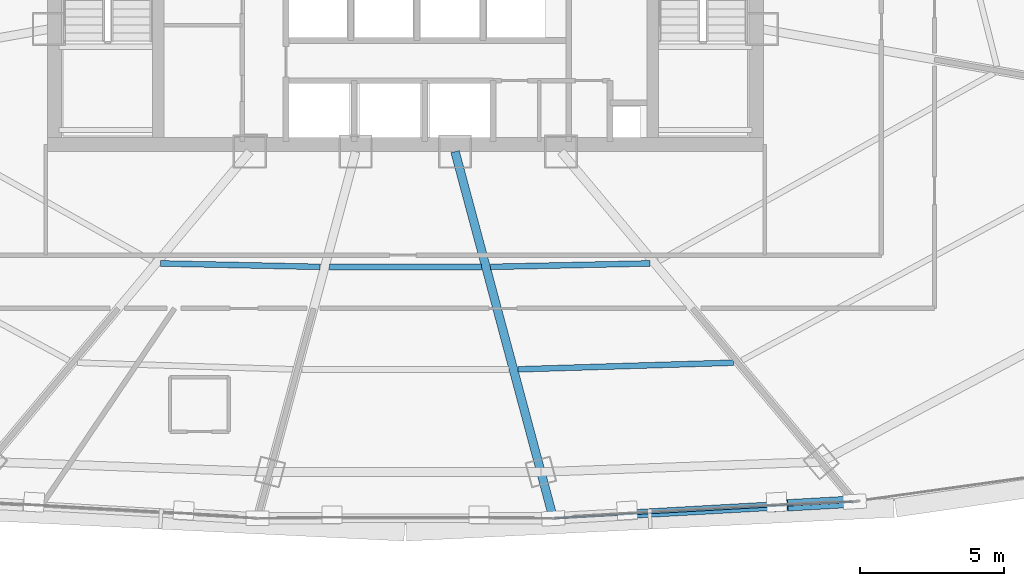
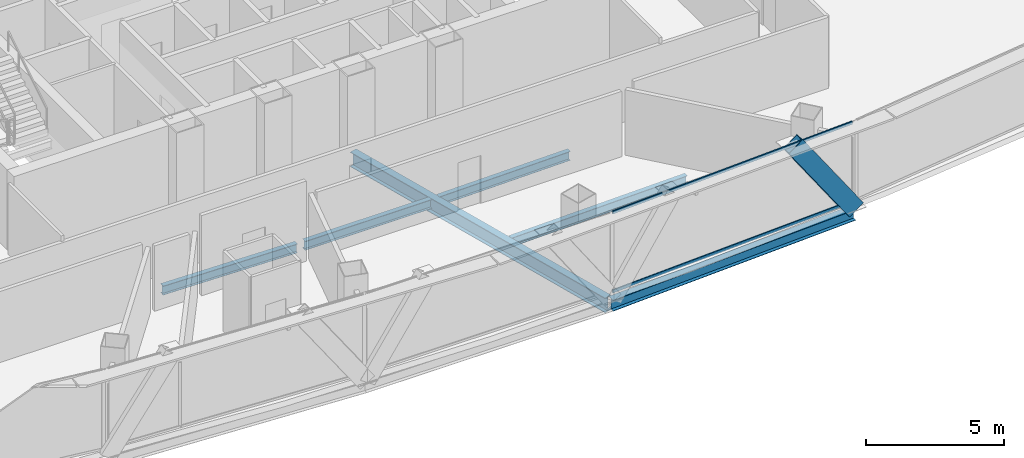
# One storey, part 13 of 37: 6 beams, 3 members, 1 element without a shape of its own.
"""IFC4 building model written with IfcOpenShell, lengths in metres."""

import ifcopenshell
import ifcopenshell.guid

model = None  # the IFC model being written
_history = None  # IfcOwnerHistory: only IFC2X3 demands one
_inside = {}  # id of a spatial element -> (the spatial element, [elements in it])
_under = {}  # id of a project, library or spatial element -> (it, [spatial elements below it])
_declared = {}  # id of a project -> (the project, [libraries it declares])
_typed = {}  # id of a type object -> (the type object, [elements of that type])
_made_of = {}  # id of a material, layer set ... -> (it, [elements and type objects made of it])


def new_model(schema):
    """Start an empty IFC model of exactly this schema.

    Asked for "IFC4X3", IfcOpenShell would pick the latest addendum, in which some entities
    have other attributes; the version numbers below select the first issue.
    IFC2X3 requires an IfcOwnerHistory on every rooted entity: one is made here for all.
    """
    global model, _history
    if schema == "IFC4X3":
        model = ifcopenshell.file(schema_version=(4, 3, 0, 0))
    else:
        model = ifcopenshell.file(schema=schema)
    _inside.clear()
    _under.clear()
    _declared.clear()
    _typed.clear()
    _made_of.clear()
    _history = None
    if model.schema == "IFC2X3":
        org = make("IfcOrganization", Name="unknown")
        user = make(
            "IfcPersonAndOrganization",
            ThePerson=make("IfcPerson", FamilyName="unknown"),
            TheOrganization=org,
        )
        app = make(
            "IfcApplication",
            ApplicationDeveloper=org,
            Version="unknown",
            ApplicationFullName="unknown",
            ApplicationIdentifier="unknown",
        )
        _history = make(
            "IfcOwnerHistory",
            OwningUser=user,
            OwningApplication=app,
            ChangeAction="ADDED",
            CreationDate=0,
        )
    return model


def make(cls, **values):
    """One entity of the class cls with the attributes given. An attribute that is None is left unset."""
    return model.create_entity(
        cls, **{name: value for name, value in values.items() if value is not None}
    )


def rooted(cls, **values):
    """An entity with a GlobalId (a new one), such as an element, a storey or a relation."""
    return make(cls, GlobalId=ifcopenshell.guid.new(), OwnerHistory=_history, **values)


def si_unit(unit_type, name, prefix=None):
    """IfcSIUnit, for example si_unit("LENGTHUNIT", "METRE", prefix="MILLI")."""
    return make("IfcSIUnit", UnitType=unit_type, Prefix=prefix, Name=name)


def assignment(units):
    """IfcUnitAssignment: the units of a project."""
    return None if units is None else make("IfcUnitAssignment", Units=units)


def point(xyz):
    """IfcCartesianPoint."""
    return None if xyz is None else make("IfcCartesianPoint", Coordinates=xyz)


def direction(xyz):
    """IfcDirection."""
    return None if xyz is None else make("IfcDirection", DirectionRatios=xyz)


def frame(location, z_axis=None, x_axis=None):
    """IfcAxis2Placement3D, a coordinate frame: its origin and axes. An axis left out is left unset."""
    return make(
        "IfcAxis2Placement3D",
        Location=point(location),
        Axis=direction(z_axis),
        RefDirection=direction(x_axis),
    )


def frame_2d(location, x_axis=None):
    """IfcAxis2Placement2D, a coordinate frame in the plane: its origin and x axis."""
    return make(
        "IfcAxis2Placement2D", Location=point(location), RefDirection=direction(x_axis)
    )


def origin():
    """The frame at (0, 0, 0) with its axes left unset."""
    return frame((0.0, 0.0, 0.0))


def origin_2d():
    """The frame at (0, 0) in the plane with its x axis left unset."""
    return frame_2d((0.0, 0.0))


def place(relative_to, where):
    """IfcLocalPlacement: puts the frame where relative to a parent placement (None: the world)."""
    return make(
        "IfcLocalPlacement", PlacementRelTo=relative_to, RelativePlacement=where
    )


def context(
    kind, dimensions, precision=None, world=None, true_north=None, identifier=None
):
    """IfcGeometricRepresentationContext, for example the 3D "Model" context."""
    return make(
        "IfcGeometricRepresentationContext",
        ContextIdentifier=identifier,
        ContextType=kind,
        CoordinateSpaceDimension=dimensions,
        Precision=precision,
        WorldCoordinateSystem=world,
        TrueNorth=true_north,
    )


def subcontext(parent, identifier, kind, view, scale=None):
    """IfcGeometricRepresentationSubContext, for example "Body" below "Model"."""
    return make(
        "IfcGeometricRepresentationSubContext",
        ContextIdentifier=identifier,
        ContextType=kind,
        ParentContext=parent,
        TargetScale=scale,
        TargetView=view,
    )


def project(units=None, contexts=None):
    """IfcProject with its units and contexts."""
    return rooted(
        "IfcProject",
        Name="project",
        RepresentationContexts=contexts,
        UnitsInContext=assignment(units),
    )


def spatial(cls, under=None, at=None, **own):
    """A site, building, storey or space (cls), placed at a placement, below another one or the project."""
    s = rooted(cls, ObjectPlacement=at, **own)
    if under is not None:
        _under.setdefault(under.id(), (under, []))[1].append(s)
    return s


def profile(cls, at=None, kind="AREA", **sizes):
    """A parametric profile (cls). Its sizes go by their IFC names, for example OverallWidth=200.0."""
    return make(cls, ProfileType=kind, Position=at, **sizes)


def hollow_rectangle(**sizes):
    """IfcRectangleHollowProfileDef."""
    return profile("IfcRectangleHollowProfileDef", **sizes)


def i_section(**sizes):
    """IfcIShapeProfileDef."""
    return profile("IfcIShapeProfileDef", **sizes)


def extrude(swept, where, along, depth):
    """IfcExtrudedAreaSolid: the profile swept, set in the frame where, extruded along a direction by depth."""
    return make(
        "IfcExtrudedAreaSolid",
        SweptArea=swept,
        Position=where,
        ExtrudedDirection=direction(along),
        Depth=depth,
    )


def shape(context_of_items, identifier, shape_type, items):
    """IfcShapeRepresentation: the items that make up one representation, for example the "Body"."""
    return make(
        "IfcShapeRepresentation",
        ContextOfItems=context_of_items,
        RepresentationIdentifier=identifier,
        RepresentationType=shape_type,
        Items=items,
    )


def source(mapping_origin, context_of_items, identifier, shape_type, items):
    """IfcRepresentationMap: a shape defined once, which mapped items show again and again."""
    return make(
        "IfcRepresentationMap",
        MappingOrigin=mapping_origin,
        MappedRepresentation=shape(context_of_items, identifier, shape_type, items),
    )


def transform(
    local_origin,
    x_axis=None,
    y_axis=None,
    z_axis=None,
    scale=None,
    scale2=None,
    scale3=None,
    uniform=True,
):
    """IfcCartesianTransformationOperator3D, or its non-uniform kind. x_axis, y_axis, z_axis: its Axis1, 2, 3."""
    if uniform:
        return make(
            "IfcCartesianTransformationOperator3D",
            Axis1=direction(x_axis),
            Axis2=direction(y_axis),
            LocalOrigin=point(local_origin),
            Scale=scale,
            Axis3=direction(z_axis),
        )
    return make(
        "IfcCartesianTransformationOperator3DnonUniform",
        Axis1=direction(x_axis),
        Axis2=direction(y_axis),
        LocalOrigin=point(local_origin),
        Scale=scale,
        Axis3=direction(z_axis),
        Scale2=scale2,
        Scale3=scale3,
    )


def mapped(mapping_source, mapping_target):
    """IfcMappedItem: shows the shape of a source again, moved by a transform."""
    return make(
        "IfcMappedItem", MappingSource=mapping_source, MappingTarget=mapping_target
    )


def material(Name=None, Category=None):
    """IfcMaterial."""
    return make("IfcMaterial", Name=Name, Category=Category)


def layer(
    of_material, thickness, ventilated=None, Name=None, Category=None, Priority=None
):
    """IfcMaterialLayer: one layer of a wall or slab, of a material (None: an air gap)."""
    return make(
        "IfcMaterialLayer",
        Material=of_material,
        LayerThickness=thickness,
        IsVentilated=ventilated,
        Name=Name,
        Category=Category,
        Priority=Priority,
    )


def layer_set(layers, Name=None):
    """IfcMaterialLayerSet."""
    return make("IfcMaterialLayerSet", MaterialLayers=layers, LayerSetName=Name)


def material_profile(
    of_material, cross_section, Name=None, Category=None, Priority=None
):
    """IfcMaterialProfile: a cross section and its material."""
    return make(
        "IfcMaterialProfile",
        Name=Name,
        Material=of_material,
        Profile=cross_section,
        Priority=Priority,
        Category=Category,
    )


def profile_set(profiles, Name=None, composite=None):
    """IfcMaterialProfileSet."""
    return make(
        "IfcMaterialProfileSet",
        Name=Name,
        MaterialProfiles=profiles,
        CompositeProfile=composite,
    )


def made_of(thing, what):
    """Note that an element or type object is made of a material, layer set ...; save() writes the relation."""
    if what is not None:
        _made_of.setdefault(what.id(), (what, []))[1].append(thing)
    return thing


def type_object(cls, material=None, **own):
    """A type object (cls), such as IfcWallType, which elements share."""
    return made_of(rooted(cls, **own), material)


def element(
    cls,
    number,
    at=None,
    inside=None,
    cuts=None,
    type_object=None,
    material=None,
    context=None,
    identifier="Body",
    shape_type=None,
    held_by="IfcProductDefinitionShape",
    body=None,
    shapes=None,
    **own,
):
    """One element of the class cls, such as IfcWall. Its Tag is "e" and its number.

    at: its placement. inside: the storey or other place that contains it. cuts: it is an
    opening in that element (IfcRelVoidsElement). A single representation is given by context,
    identifier, shape_type and body (its items); several are given by shapes. held_by: the class
    of the entity that holds the representations. save() writes the other relations.
    """
    e = rooted(cls, Tag="e%d" % number, ObjectPlacement=at, **own)
    if body is not None:
        shapes = [shape(context, identifier, shape_type, body)]
    if shapes is not None:
        e.Representation = make(held_by, Representations=shapes)
    if inside is not None:
        _inside.setdefault(inside.id(), (inside, []))[1].append(e)
    if cuts is not None:
        rooted(
            "IfcRelVoidsElement", RelatingBuildingElement=cuts, RelatedOpeningElement=e
        )
    if type_object is not None:
        _typed.setdefault(type_object.id(), (type_object, []))[1].append(e)
    return made_of(e, material)


def aggregate(whole, parts):
    """IfcRelAggregates: a whole, such as a stair, and the parts it consists of."""
    return rooted("IfcRelAggregates", RelatingObject=whole, RelatedObjects=parts)


def save(model, path):
    """Write the relations noted so far, then the file.

    IfcRelAggregates (storeys below a building ...), IfcRelContainedInSpatialStructure (elements
    in a storey), IfcRelDefinesByType, IfcRelAssociatesMaterial and IfcRelDeclares: one each for
    every whole, place, type object, material and project.
    """
    for whole, parts in _under.values():
        aggregate(whole, parts)
    for where, things in _inside.values():
        rooted(
            "IfcRelContainedInSpatialStructure",
            RelatedElements=things,
            RelatingStructure=where,
        )
    for kind, things in _typed.values():
        rooted("IfcRelDefinesByType", RelatedObjects=things, RelatingType=kind)
    for what, things in _made_of.values():
        rooted("IfcRelAssociatesMaterial", RelatedObjects=things, RelatingMaterial=what)
    for by, libraries in _declared.values():
        rooted("IfcRelDeclares", RelatingContext=by, RelatedDefinitions=libraries)
    model.write(path)


model = new_model("IFC4")

# Units and contexts
model_context = context("Model", 3, precision=1e-05, world=origin(), true_north=direction((0.0, 1.0)))
body_context = subcontext(model_context, "Body", "Model", "MODEL_VIEW")
ifc_project = project(units=[si_unit("LENGTHUNIT", "METRE"), si_unit("AREAUNIT", "SQUARE_METRE"), si_unit("VOLUMEUNIT", "CUBIC_METRE"), si_unit("PLANEANGLEUNIT", "RADIAN"), si_unit("MASSUNIT", "GRAM", prefix="KILO"), si_unit("THERMODYNAMICTEMPERATUREUNIT", "KELVIN"), si_unit("POWERUNIT", "WATT")], contexts=[model_context])

# Site, building, storey
site_placement = place(None, origin())
site = spatial("IfcSite", under=ifc_project, at=site_placement, CompositionType="ELEMENT")
building_placement = place(site_placement, origin())
building = spatial("IfcBuilding", under=site, at=building_placement, Name="Yunzhuo Pagoda Commons", CompositionType="ELEMENT")
storey_placement = place(building_placement, frame((0.0, 0.0, 207.56005859375)))
storey = spatial("IfcBuildingStorey", under=building, at=storey_placement, Name="L52", CompositionType="ELEMENT", Elevation=207.56005859375)

# Beams
ifc_material_1 = material(Name="Structural steel Q355B", Category="steel")
ifc_material_profile_1 = material_profile(ifc_material_1, i_section(OverallWidth=0.199951171875, OverallDepth=0.39990234375, WebThickness=0.008056640625, FlangeThickness=0.012939453125, at=origin_2d()), Name="Structural steel Q355B")
ifc_profile_set_1 = profile_set([ifc_material_profile_1], Name="Structural steel Q355B")
beam_type_1 = type_object("IfcBeamType", Name="B-JS1 Joist HN 400x200x8x13", PredefinedType="JOIST", material=ifc_profile_set_1)
shared_shape_1 = source(origin(), body_context, "Body", "SweptSolid", [
    extrude(i_section(OverallWidth=0.199951171875, OverallDepth=0.39990234375, WebThickness=0.008056640625, FlangeThickness=0.012939453125, at=origin_2d()), origin(), (0.0, 0.0, 1.0), 5.550537109375),
])
for number, where, z_axis, x_axis, name in (
    (1, (39.489013671875, 23.3642578125, -0.4599609375), (0.99976582056, -0.021640333643, 0.0), (0.021640333643, 0.99976582056, 0.0), "L52 composite ring joist 1.1"),
    (2, (50.961669921875, 23.244140625, -0.4599609375), (0.99976582056, 0.021640333643, 0.0), (-0.021640333643, 0.99976582056, 0.0), "L52 composite ring joist 1.3"),
):
    element("IfcBeam", number, at=place(storey_placement, frame(where, z_axis=z_axis, x_axis=x_axis)), inside=storey, type_object=beam_type_1, Name=name, PredefinedType="JOIST", context=body_context, shape_type="MappedRepresentation", body=[
        mapped(shared_shape_1, transform((0.0, 0.0, 0.0), scale=1.0)),
    ])
shared_shape_2 = source(origin(), body_context, "Body", "SweptSolid", [
    extrude(i_section(OverallWidth=0.199951171875, OverallDepth=0.39990234375, WebThickness=0.008056640625, FlangeThickness=0.012939453125, at=origin_2d()), origin(), (0.0, 0.0, 1.0), 7.49365234375),
])
beam_1_placement = place(storey_placement, frame((51.91650390625, 19.68115234375, -0.4599609375), z_axis=(0.99952593018, 0.030788226605, 0.0), x_axis=(-0.030788226605, 0.99952593018, 0.0)))
element("IfcBeam", 3, at=beam_1_placement, inside=storey, type_object=beam_type_1, Name="L52 composite ring joist 2.3", PredefinedType="JOIST", context=body_context, shape_type="MappedRepresentation", body=[
    mapped(shared_shape_2, transform((0.0, 0.0, 0.0), scale=1.0)),
])
shared_shape_3 = source(origin(), body_context, "Body", "SweptSolid", [
    extrude(i_section(OverallWidth=0.199951171875, OverallDepth=0.39990234375, WebThickness=0.008056640625, FlangeThickness=0.012939453125, at=origin_2d()), origin(), (0.0, 0.0, 1.0), 5.287109375),
])
beam_2_placement = place(storey_placement, frame((45.3564453125, 23.24072265625, -0.4599609375), z_axis=(1.0, 0.0, 0.0), x_axis=(0.0, 1.0, 0.0)))
element("IfcBeam", 4, at=beam_2_placement, inside=storey, type_object=beam_type_1, Name="L52 composite ring joist 1.2", PredefinedType="JOIST", context=body_context, shape_type="MappedRepresentation", body=[
    mapped(shared_shape_3, transform((0.0, 0.0, 0.0), scale=1.0)),
])
ifc_material_profile_2 = material_profile(ifc_material_1, i_section(OverallWidth=0.300048828125, OverallDepth=0.64990234375, WebThickness=0.012939453125, FlangeThickness=0.02197265625, at=origin_2d()), Name="Structural steel Q355B")
ifc_profile_set_2 = profile_set([ifc_material_profile_2], Name="Structural steel Q355B")
beam_type_2 = type_object("IfcBeamType", Name="B-RG2 Beam HN 650x300x13x22", PredefinedType="BEAM", material=ifc_profile_set_2)
shared_shape_4 = source(origin(), body_context, "Body", "SweptSolid", [
    extrude(i_section(OverallWidth=0.300048828125, OverallDepth=0.64990234375, WebThickness=0.012939453125, FlangeThickness=0.02197265625, at=origin_2d()), origin(), (0.0, 0.0, 1.0), 13.048095703125),
])
beam_3_placement = place(storey_placement, frame((53.10546875, 14.646484375, -0.5849609375), z_axis=(-0.258808411575, 0.965928675472, 0.0), x_axis=(-0.965928675472, -0.258808411575, 0.0)))
element("IfcBeam", 5, at=beam_3_placement, inside=storey, type_object=beam_type_2, Name="L52 radial floor girder F1C3", PredefinedType="BEAM", context=body_context, shape_type="MappedRepresentation", body=[
    mapped(shared_shape_4, transform((0.0, 0.0, 0.0), scale=1.0)),
])
ifc_material_profile_3 = material_profile(ifc_material_1, i_section(OverallWidth=0.300048828125, OverallDepth=0.488037109375, WebThickness=0.010986328125, FlangeThickness=0.01806640625, at=origin_2d()), Name="Structural steel Q355B")
ifc_profile_set_3 = profile_set([ifc_material_profile_3], Name="Structural steel Q355B")
beam_type_3 = type_object("IfcBeamType", Name="B-SP1 Beam HM 488x300x11x18", PredefinedType="BEAM", material=ifc_profile_set_3)
shared_shape_5 = source(origin(), body_context, "Body", "SweptSolid", [
    extrude(i_section(OverallWidth=0.300048828125, OverallDepth=0.488037109375, WebThickness=0.010986328125, FlangeThickness=0.01806640625, at=origin_2d()), origin(), (0.0, 0.0, 1.0), 10.49267578125),
])
beam_4_placement = place(storey_placement, frame((53.1455078125, 14.496826171875, -0.504150390625), z_axis=(0.998439593407, 0.055842441895, 0.0), x_axis=(-0.055842441895, 0.998439593407, 0.0)))
element("IfcBeam", 6, at=beam_4_placement, inside=storey, type_object=beam_type_3, Name="L52 facade edge spandrel beam F1.3", PredefinedType="BEAM", context=body_context, shape_type="MappedRepresentation", body=[
    mapped(shared_shape_5, transform((0.0, 0.0, 0.0), scale=1.0)),
])

# Member
ifc_material_profile_4 = material_profile(ifc_material_1, hollow_rectangle(XDim=0.39990234375, YDim=0.719970703125, WallThickness=0.02392578125, at=origin_2d()), Name="Structural steel Q355B")
ifc_profile_set_4 = profile_set([ifc_material_profile_4], Name="Structural steel Q355B")
member_type_1 = type_object("IfcMemberType", Name="M-DL2 Brace BOX 720x400x24", PredefinedType="BRACE", material=ifc_profile_set_4)
shared_shape_6 = source(origin(), body_context, "Body", "SweptSolid", [
    extrude(hollow_rectangle(XDim=0.39990234375, YDim=0.719970703125, WallThickness=0.02392578125, at=origin_2d()), origin(), (0.0, 0.0, 1.0), 4.617431640625),
])
member_1_placement = place(storey_placement, frame((63.621826171875, 15.082763671875, -0.260009765625), z_axis=(-0.567178088903, -0.031777200655, 0.822981910486), x_axis=(0.055939120266, -0.998434181518, 0.0)))
element("IfcMember", 7, at=member_1_placement, inside=storey, type_object=member_type_1, Name="L52 facade diamond brace F1.3R", PredefinedType="BRACE", context=body_context, shape_type="MappedRepresentation", body=[
    mapped(shared_shape_6, transform((0.0, 0.0, 0.0), scale=1.0)),
])

# Curtain wall, members
ifc_material_2 = material(Name="Anodized aluminium 6063-T6", Category="aluminium")
ifc_layer = layer(ifc_material_2, 0.14990234375)
ifc_layer_set = layer_set([ifc_layer], Name="Anodized aluminium 6063-T6")
curtain_wall_type = type_object("IfcCurtainWallType", Name="CW-MID Mid-Zone Ribbon Curtain Wall", PredefinedType="NOTDEFINED", material=ifc_layer_set)
curtain_wall_placement = place(storey_placement, origin())
curtain_wall = element("IfcCurtainWall", 8, at=curtain_wall_placement, inside=storey, type_object=curtain_wall_type, Name="L52 curtain wall CW-L52-F1B4", PredefinedType="NOTDEFINED")
ifc_material_profile_5 = material_profile(ifc_material_2, hollow_rectangle(XDim=0.054931640625, YDim=0.1298828125, WallThickness=0.00341796875, at=origin_2d()), Name="Anodized aluminium 6063-T6")
ifc_profile_set_5 = profile_set([ifc_material_profile_5], Name="Anodized aluminium 6063-T6")
member_type_2 = type_object("IfcMemberType", Name="CW-MID-T Transom RHS 130x55x3.5", PredefinedType="USERDEFINED", material=ifc_profile_set_5)
shared_shape_7 = source(origin(), body_context, "Body", "SweptSolid", [
    extrude(hollow_rectangle(XDim=0.054931640625, YDim=0.1298828125, WallThickness=0.00341796875, at=origin_2d()), origin(), (0.0, 0.0, 1.0), 10.372802734375),
])
member_2_placement = place(storey_placement, frame((53.205322265625, 14.500244140625, 0.02734375), z_axis=(0.998441685065, 0.055805031359, 0.0), x_axis=(-0.055805031359, 0.998441685065, 0.0)))
member_2 = element("IfcMember", 9, at=member_2_placement, type_object=member_type_2, Name="CW transom 1.1", ObjectType="TRANSOM", PredefinedType="USERDEFINED", context=body_context, shape_type="MappedRepresentation", body=[
    mapped(shared_shape_7, transform((0.0, 0.0, 0.0), scale=1.0)),
])
member_3_placement = place(storey_placement, frame((53.205322265625, 14.500244140625, 3.512451171875), z_axis=(0.998441685065, 0.055805031359, 0.0), x_axis=(-0.055805031359, 0.998441685065, 0.0)))
member_3 = element("IfcMember", 10, at=member_3_placement, type_object=member_type_2, Name="CW transom 1.2", ObjectType="TRANSOM", PredefinedType="USERDEFINED", context=body_context, shape_type="MappedRepresentation", body=[
    mapped(shared_shape_7, transform((0.0, 0.0, 0.0), scale=1.0)),
])
aggregate(curtain_wall, [member_2, member_3])

save(model, "model.ifc")
